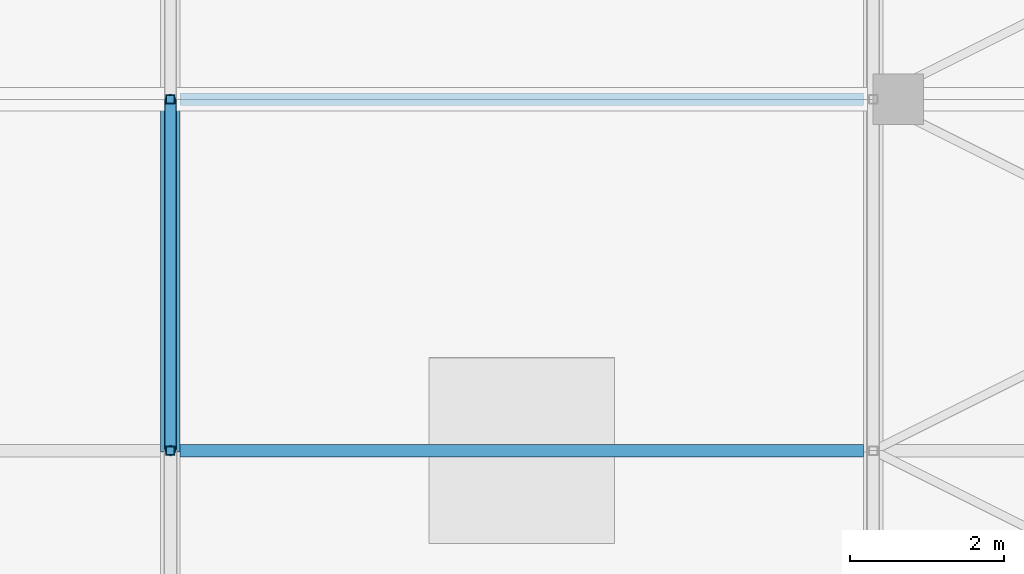
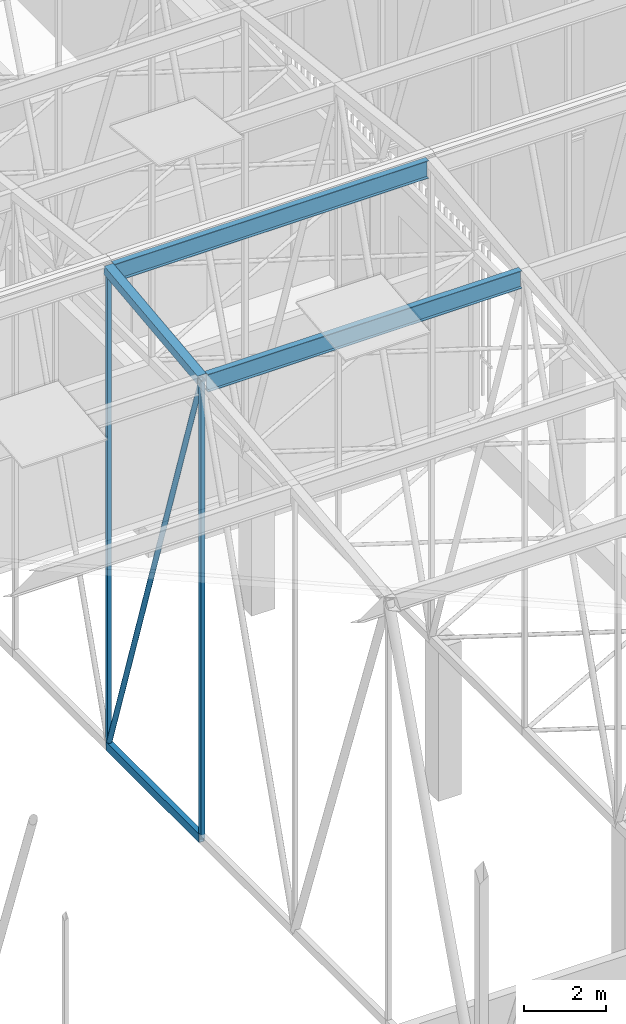
# One storey, part 361 of 500: 7 members.
"""IFC4 building model written with IfcOpenShell, lengths in metres."""

from ifc_helpers import new_model, si_unit, direction, frame, origin, origin_2d, place, context, subcontext, project, spatial, hollow_rectangle, hollow_circle, i_section, extrude, material, material_profile, profile_set, type_object, element, save


model = new_model("IFC4")

# Units and contexts
model_context = context("Model", 3, precision=1e-05, world=origin(), true_north=direction((0.0, 1.0)))
body_context = subcontext(model_context, "Body", "Model", "MODEL_VIEW")
ifc_project = project(units=[si_unit("LENGTHUNIT", "METRE"), si_unit("AREAUNIT", "SQUARE_METRE"), si_unit("VOLUMEUNIT", "CUBIC_METRE"), si_unit("PLANEANGLEUNIT", "RADIAN"), si_unit("MASSUNIT", "GRAM", prefix="KILO")], contexts=[model_context])

# Site, building, storey
site_placement = place(None, origin())
site = spatial("IfcSite", under=ifc_project, at=site_placement, CompositionType="ELEMENT")
building_placement = place(site_placement, origin())
building = spatial("IfcBuilding", under=site, at=building_placement, Name="Shirokan Park Arena", CompositionType="ELEMENT")
storey_placement = place(building_placement, frame((0.0, 0.0, 29.1201171875)))
storey = spatial("IfcBuildingStorey", under=building, at=storey_placement, Name="L06", CompositionType="ELEMENT", Elevation=29.1201171875)

# Members
ifc_material_1 = material(Name="Steel ASTM A500 Grade C", Category="steel")
ifc_material_profile_1 = material_profile(ifc_material_1, hollow_rectangle(XDim=0.152099609375, YDim=0.25390625, WallThickness=0.009521484375, at=origin_2d()), Name="HSS254X152.4X9.5")
ifc_profile_set_1 = profile_set([ifc_material_profile_1], Name="Steel ASTM A500 Grade C")
member_type_1 = type_object("IfcMemberType", Name="Bottom chord HSS254X152.4X9.5", PredefinedType="CHORD", material=ifc_profile_set_1)
member_1_placement = place(storey_placement, frame((127.39990234375, 50.050048828125, 4.677001953125), z_axis=(0.0, 1.0, 0.0), x_axis=(-1.0, 0.0, 0.0)))
element("IfcMember", 1, at=member_1_placement, inside=storey, type_object=member_type_1, Name="Truss T15 bottom chord 14", PredefinedType="CHORD", context=body_context, shape_type="SweptSolid", body=[
    extrude(hollow_rectangle(XDim=0.152099609375, YDim=0.25390625, WallThickness=0.009521484375, at=origin_2d()), origin(), (0.0, 0.0, 1.0), 4.550048828125),
])
ifc_material_2 = material(Name="Steel ASTM A992", Category="steel")
ifc_material_profile_2 = material_profile(ifc_material_2, i_section(OverallWidth=0.166015625, OverallDepth=0.528076171875, WebThickness=0.009765625, FlangeThickness=0.013671875, at=origin_2d()), Name="W530X74")
ifc_profile_set_2 = profile_set([ifc_material_profile_2], Name="Steel ASTM A992")
member_type_2 = type_object("IfcMemberType", Name="Purlin W530X74", PredefinedType="PURLIN", material=ifc_profile_set_2)
for number, where, z_axis, x_axis, name in (
    (2, (127.527099609375, 50.050048828125, 18.205810546875), (1.0, 0.0, 0.0), (0.0, 1.0, 0.0), "Purlin 14 bay 15"),
    (3, (127.527099609375, 54.60009765625, 18.725830078125), (1.0, 0.0, 0.0), (0.0, 1.0, 0.0), "Purlin 15 bay 15"),
):
    element("IfcMember", number, at=place(storey_placement, frame(where, z_axis=z_axis, x_axis=x_axis)), inside=storey, type_object=member_type_2, Name=name, PredefinedType="PURLIN", context=body_context, shape_type="SweptSolid", body=[
        extrude(i_section(OverallWidth=0.166015625, OverallDepth=0.528076171875, WebThickness=0.009765625, FlangeThickness=0.013671875, at=origin_2d()), origin(), (0.0, 0.0, 1.0), 8.845947265625),
    ])
ifc_material_profile_3 = material_profile(ifc_material_1, hollow_rectangle(XDim=0.25390625, YDim=0.25390625, WallThickness=0.009521484375, at=origin_2d()), Name="HSS254X254X9.5")
ifc_profile_set_3 = profile_set([ifc_material_profile_3], Name="Steel ASTM A500 Grade C")
member_type_3 = type_object("IfcMemberType", Name="Top chord HSS254X254X9.5", PredefinedType="CHORD", material=ifc_profile_set_3)
member_2_placement = place(storey_placement, frame((127.39990234375, 50.050048828125, 18.3427734375), z_axis=(0.0, 0.993532328996, 0.113549598152), x_axis=(-1.0, 0.0, 0.0)))
element("IfcMember", 4, at=member_2_placement, inside=storey, type_object=member_type_3, Name="Truss T15 top chord 14", PredefinedType="CHORD", context=body_context, shape_type="SweptSolid", body=[
    extrude(hollow_rectangle(XDim=0.25390625, YDim=0.25390625, WallThickness=0.009521484375, at=origin_2d()), origin(), (0.0, 0.0, 1.0), 4.57958984375),
])
ifc_material_profile_4 = material_profile(ifc_material_1, hollow_circle(Radius=0.070556640625, WallThickness=0.006591796875, at=origin_2d()), Name="HSS141.3X6.6")
ifc_profile_set_4 = profile_set([ifc_material_profile_4], Name="Steel ASTM A500 Grade C")
member_type_4 = type_object("IfcMemberType", Name="Truss diagonal HSS141.3X6.6", PredefinedType="BRACE", material=ifc_profile_set_4)
member_3_placement = place(storey_placement, frame((127.39990234375, 50.050048828125, 18.3427734375), z_axis=(0.0, 0.315902302102, -0.948791723998), x_axis=(-1.0, 0.0, 0.0)))
element("IfcMember", 5, at=member_3_placement, inside=storey, type_object=member_type_4, Name="Truss T15 diagonal 14", PredefinedType="BRACE", context=body_context, shape_type="SweptSolid", body=[
    extrude(hollow_circle(Radius=0.070556640625, WallThickness=0.006591796875, at=origin_2d()), origin(), (0.0, 0.0, 1.0), 14.4033203125),
])
ifc_material_profile_5 = material_profile(ifc_material_1, hollow_rectangle(XDim=0.114013671875, YDim=0.114013671875, WallThickness=0.00634765625, at=origin_2d()), Name="HSS114.3X114.3X6.4")
ifc_profile_set_5 = profile_set([ifc_material_profile_5], Name="Steel ASTM A500 Grade C")
member_type_5 = type_object("IfcMemberType", Name="Truss post HSS114.3X114.3X6.4", PredefinedType="POST", material=ifc_profile_set_5)
member_4_placement = place(storey_placement, frame((127.39990234375, 50.050048828125, 4.677001953125), z_axis=(0.0, 0.0, 1.0), x_axis=(1.0, 0.0, 0.0)))
element("IfcMember", 6, at=member_4_placement, inside=storey, type_object=member_type_5, Name="Truss T15 post 14", PredefinedType="POST", context=body_context, shape_type="SweptSolid", body=[
    extrude(hollow_rectangle(XDim=0.114013671875, YDim=0.114013671875, WallThickness=0.00634765625, at=origin_2d()), origin(), (0.0, 0.0, 1.0), 13.665771484375),
])
member_5_placement = place(storey_placement, frame((127.39990234375, 54.60009765625, 4.677001953125), z_axis=(0.0, 0.0, 1.0), x_axis=(1.0, 0.0, 0.0)))
element("IfcMember", 7, at=member_5_placement, inside=storey, type_object=member_type_5, Name="Truss T15 post 15", PredefinedType="POST", context=body_context, shape_type="SweptSolid", body=[
    extrude(hollow_rectangle(XDim=0.114013671875, YDim=0.114013671875, WallThickness=0.00634765625, at=origin_2d()), origin(), (0.0, 0.0, 1.0), 14.185791015625),
])

save(model, "model.ifc")
